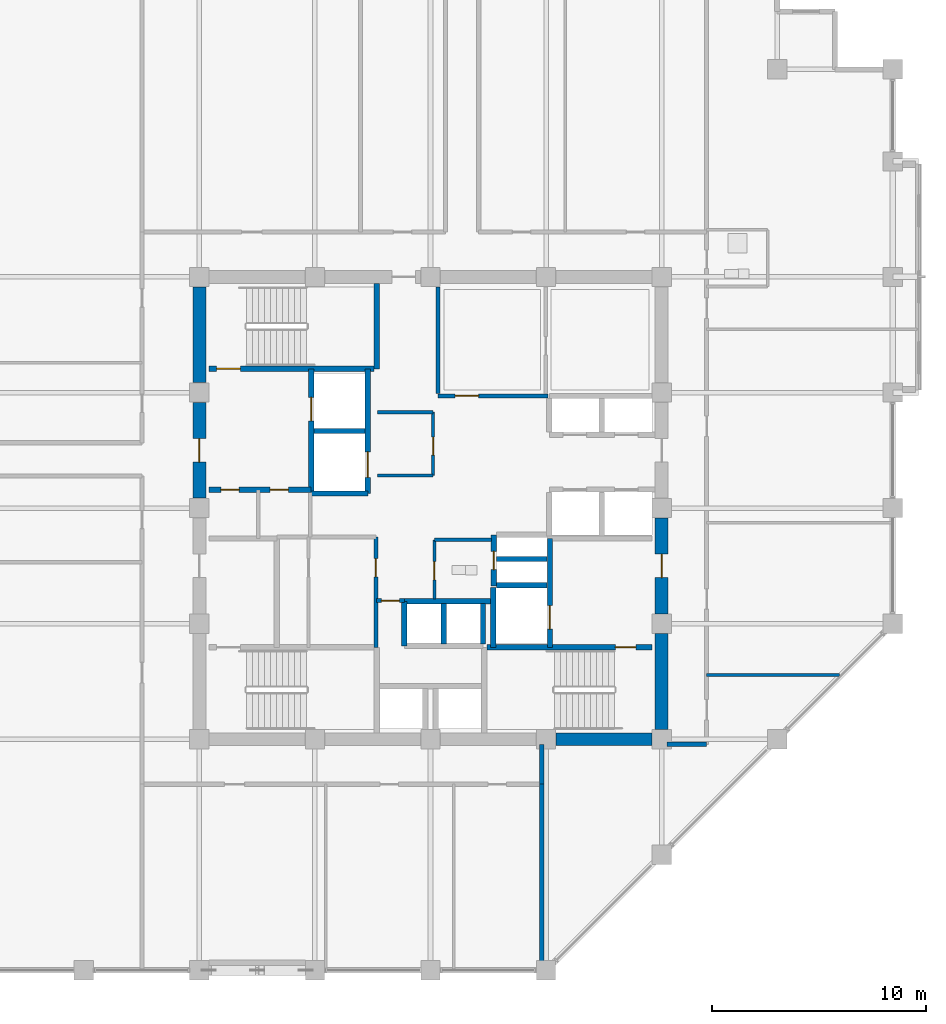
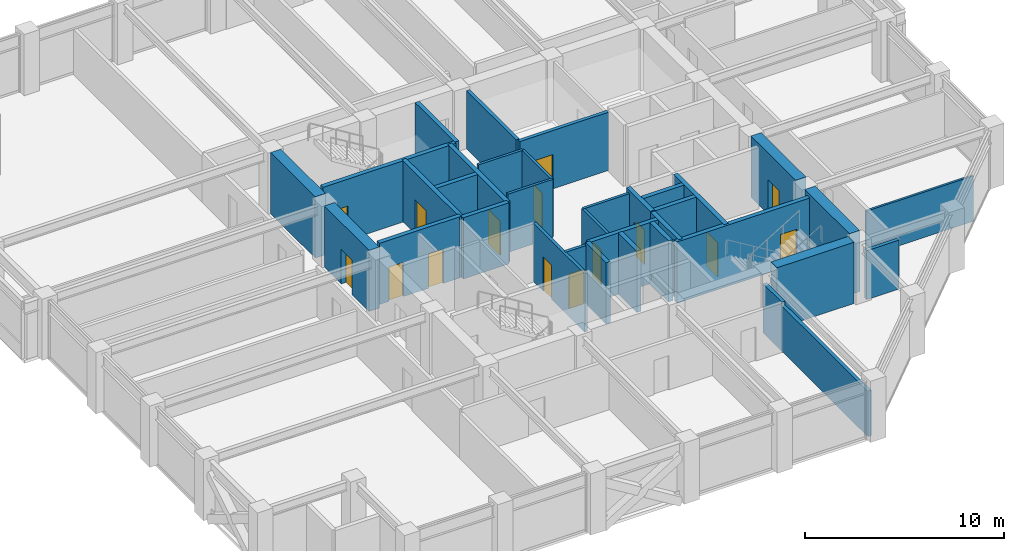
# One storey, part 27 of 32: 35 walls, 15 doors, 15 openings.
"""IFC4 building model written with IfcOpenShell, lengths in metres."""

from ifc_helpers import new_model, si_unit, direction, frame, frame_2d, origin, place, context, subcontext, project, spatial, rectangle, extrude, material, layer, layer_set, type_object, element, fill, save


model = new_model("IFC4")

# Units and contexts
model_context = context("Model", 3, precision=1e-05, world=origin(), true_north=direction((0.0, 1.0)))
body_context = subcontext(model_context, "Body", "Model", "MODEL_VIEW")
ifc_project = project(units=[si_unit("LENGTHUNIT", "METRE"), si_unit("AREAUNIT", "SQUARE_METRE"), si_unit("VOLUMEUNIT", "CUBIC_METRE"), si_unit("PLANEANGLEUNIT", "RADIAN"), si_unit("MASSUNIT", "GRAM", prefix="KILO")], contexts=[model_context])

# Site, building, storey
site_placement = place(None, origin())
site = spatial("IfcSite", under=ifc_project, at=site_placement, CompositionType="ELEMENT")
building_placement = place(site_placement, origin())
building = spatial("IfcBuilding", under=site, at=building_placement, Name="Surkhivell Harbour Commons", CompositionType="ELEMENT")
storey_placement = place(building_placement, frame((0.0, 0.0, 189.75)))
storey = spatial("IfcBuildingStorey", under=building, at=storey_placement, Name="L49", CompositionType="ELEMENT", Elevation=189.75)

# Wall
ifc_material_1 = material(Name="Concrete C60/75", Category="concrete")
ifc_layer_1 = layer(ifc_material_1, 0.60009765625)
ifc_layer_set_1 = layer_set([ifc_layer_1], Name="Concrete C60/75")
wall_type_1 = type_object("IfcWallType", Name="WAL-CORE-600", PredefinedType="SHEAR", material=ifc_layer_set_1)
wall_1_placement = place(storey_placement, frame((10.800048828125, -10.340087890625, 0.0), z_axis=(0.0, 0.0, 1.0), x_axis=(0.0, 1.0, 0.0)))
element("IfcWall", 1, at=wall_1_placement, inside=storey, type_object=wall_type_1, Name="L49 Core Shear Wall East 1", PredefinedType="SHEAR", context=body_context, shape_type="SweptSolid", body=[
    extrude(rectangle(XDim=4.47998046875, YDim=0.60009765625, at=frame_2d((2.239990234375, 0.0))), origin(), (0.0, 0.0, 1.0), 3.75),
])

# Wall, opening, door
wall_2_placement = place(storey_placement, frame((10.800048828125, -4.93994140625, 0.0), z_axis=(0.0, 0.0, 1.0), x_axis=(0.0, 1.0, 0.0)))
wall_2 = element("IfcWall", 2, at=wall_2_placement, inside=storey, type_object=wall_type_1, Name="L49 Core Shear Wall East 2", PredefinedType="SHEAR", context=body_context, shape_type="SweptSolid", body=[
    extrude(rectangle(XDim=4.47998046875, YDim=0.60009765625, at=frame_2d((2.239990234375, 0.0))), origin(), (0.0, 0.0, 1.0), 3.75),
])
opening_1_placement = place(wall_2_placement, frame((1.68994140625, 0.0, 0.0)))
opening_1 = element("IfcOpeningElement", 3, at=opening_1_placement, cuts=wall_2, Name="Opening ID-1", PredefinedType="OPENING", context=body_context, shape_type="SweptSolid", body=[
    extrude(rectangle(XDim=1.10009765625, YDim=2.10009765625, at=frame_2d((0.550048828125, 1.050048828125))), frame((0.0, 0.31005859375, 0.0), z_axis=(0.0, -1.0, 0.0), x_axis=(1.0, 0.0, 0.0)), (0.0, 0.0, 1.0), 0.6201171875),
])
ifc_material_2 = material(Name="Hardwood-veneered fire-rated door leaf", Category="wood")
door_type_1 = type_object("IfcDoorType", Name="DOR-FD120-1100", OperationType="NOTDEFINED", PredefinedType="DOOR", material=ifc_material_2)
door_1_placement = place(opening_1_placement, origin())
door_1 = element("IfcDoor", 4, at=door_1_placement, inside=storey, type_object=door_type_1, Name="L49 Firefighting Lobby 2 Corridor Door", OperationType="SINGLE_SWING_RIGHT", OverallHeight=2.10009765625, OverallWidth=1.10009765625, PredefinedType="DOOR", context=body_context, shape_type="SweptSolid", body=[
    extrude(rectangle(XDim=1.10009765625, YDim=2.10009765625, at=frame_2d((0.550048828125, 1.050048828125))), frame((0.0, 0.02490234375, 0.0), z_axis=(0.0, -1.0, 0.0), x_axis=(1.0, 0.0, 0.0)), (0.0, 0.0, 1.0), 0.050048828125),
])
fill(opening_1, door_1)

wall_3_placement = place(storey_placement, frame((-10.800048828125, 0.4599609375, 0.0), z_axis=(0.0, 0.0, 1.0), x_axis=(0.0, 1.0, 0.0)))
wall_3 = element("IfcWall", 5, at=wall_3_placement, inside=storey, type_object=wall_type_1, Name="L49 Core Shear Wall West 3", PredefinedType="SHEAR", context=body_context, shape_type="SweptSolid", body=[
    extrude(rectangle(XDim=4.47998046875, YDim=0.60009765625, at=frame_2d((2.239990234375, 0.0))), origin(), (0.0, 0.0, 1.0), 3.75),
])
opening_2_placement = place(wall_3_placement, frame((1.68994140625, 0.0, 0.0)))
opening_2 = element("IfcOpeningElement", 6, at=opening_2_placement, cuts=wall_3, Name="Opening ID-1", PredefinedType="OPENING", context=body_context, shape_type="SweptSolid", body=[
    extrude(rectangle(XDim=1.10009765625, YDim=2.10009765625, at=frame_2d((0.550048828125, 1.050048828125))), frame((0.0, 0.31005859375, 0.0), z_axis=(0.0, -1.0, 0.0), x_axis=(1.0, 0.0, 0.0)), (0.0, 0.0, 1.0), 0.6201171875),
])
door_2_placement = place(opening_2_placement, origin())
door_2 = element("IfcDoor", 7, at=door_2_placement, inside=storey, type_object=door_type_1, Name="L49 Firefighting Lobby 1 Corridor Door", OperationType="SINGLE_SWING_LEFT", OverallHeight=2.10009765625, OverallWidth=1.10009765625, PredefinedType="DOOR", context=body_context, shape_type="SweptSolid", body=[
    extrude(rectangle(XDim=1.10009765625, YDim=2.10009765625, at=frame_2d((0.550048828125, 1.050048828125))), frame((0.0, 0.02490234375, 0.0), z_axis=(0.0, -1.0, 0.0), x_axis=(1.0, 0.0, 0.0)), (0.0, 0.0, 1.0), 0.050048828125),
])
fill(opening_2, door_2)

# Walls
for number, where, z_axis, x_axis, name in (
    (8, (5.860107421875, -10.800048828125, 0.0), (0.0, 0.0, 1.0), (1.0, 0.0, 0.0), "L49 Core Shear Wall South 4"),
    (9, (-10.800048828125, 5.860107421875, 0.0), (0.0, 0.0, 1.0), (0.0, 1.0, 0.0), "L49 Core Shear Wall West 4"),
):
    element("IfcWall", number, at=place(storey_placement, frame(where, z_axis=z_axis, x_axis=x_axis)), inside=storey, type_object=wall_type_1, Name=name, PredefinedType="SHEAR", context=body_context, shape_type="SweptSolid", body=[
        extrude(rectangle(XDim=4.47998046875, YDim=0.60009765625, at=frame_2d((2.239990234375, 0.0))), origin(), (0.0, 0.0, 1.0), 3.75),
    ])
ifc_material_3 = material(Name="Moisture-resistant acoustic stud partition", Category="other")
ifc_layer_2 = layer(ifc_material_3, 0.125)
ifc_layer_set_2 = layer_set([ifc_layer_2], Name="Moisture-resistant acoustic stud partition")
wall_type_2 = type_object("IfcWallType", Name="WAL-INT-125", PredefinedType="PARTITIONING", material=ifc_layer_set_2)
wall_4_placement = place(storey_placement, frame((12.89990234375, -7.800048828125, 0.0), z_axis=(0.0, 0.0, 1.0), x_axis=(1.0, 0.0, 0.0)))
element("IfcWall", 10, at=wall_4_placement, inside=storey, type_object=wall_type_2, Name="L49 East Partition PBOT", PredefinedType="PARTITIONING", context=body_context, shape_type="SweptSolid", body=[
    extrude(rectangle(XDim=6.21533203125, YDim=0.125, at=frame_2d((3.107666015625, 0.0))), origin(), (0.0, 0.0, 1.0), 2.780029296875),
])
ifc_material_4 = material(Name="Twin-stud acoustic fireboard partition", Category="other")
ifc_layer_3 = layer(ifc_material_4, 0.14990234375)
ifc_layer_set_3 = layer_set([ifc_layer_3], Name="Twin-stud acoustic fireboard partition")
wall_type_3 = type_object("IfcWallType", Name="WAL-INT-150", PredefinedType="PARTITIONING", material=ifc_layer_set_3)
wall_5_placement = place(storey_placement, frame((0.179931640625, -1.47998046875, 0.0), z_axis=(0.0, 0.0, 1.0), x_axis=(1.0, 0.0, 0.0)))
element("IfcWall", 11, at=wall_5_placement, inside=storey, type_object=wall_type_3, Name="L49 Core Accessible WC North Wall", PredefinedType="PARTITIONING", context=body_context, shape_type="SweptSolid", body=[
    extrude(rectangle(XDim=2.670166015625, YDim=0.14990234375, at=frame_2d((1.3349609375, 0.0))), origin(), (0.0, 0.0, 1.0), 3.570068359375),
])

# Wall, opening, door
wall_6_placement = place(storey_placement, frame((0.179931640625, -4.25, 0.0), z_axis=(0.0, 0.0, 1.0), x_axis=(0.0, 1.0, 0.0)))
wall_6 = element("IfcWall", 12, at=wall_6_placement, inside=storey, type_object=wall_type_3, Name="L49 Core Accessible WC West Wall", PredefinedType="PARTITIONING", context=body_context, shape_type="SweptSolid", body=[
    extrude(rectangle(XDim=2.77001953125, YDim=0.14990234375, at=frame_2d((1.385009765625, 0.0))), origin(), (0.0, 0.0, 1.0), 3.570068359375),
])
opening_3_placement = place(wall_6_placement, frame((0.89990234375, 0.0, 0.0)))
opening_3 = element("IfcOpeningElement", 13, at=opening_3_placement, cuts=wall_6, Name="Opening ID-6", PredefinedType="OPENING", context=body_context, shape_type="SweptSolid", body=[
    extrude(rectangle(XDim=0.85009765625, YDim=2.10009765625, at=frame_2d((0.425048828125, 1.050048828125))), frame((0.0, 0.0849609375, 0.0), z_axis=(0.0, -1.0, 0.0), x_axis=(1.0, 0.0, 0.0)), (0.0, 0.0, 1.0), 0.169921875),
])
door_type_2 = type_object("IfcDoorType", Name="DOR-FD30-850", OperationType="NOTDEFINED", PredefinedType="DOOR", material=ifc_material_2)
door_3_placement = place(opening_3_placement, origin())
door_3 = element("IfcDoor", 14, at=door_3_placement, inside=storey, type_object=door_type_2, Name="L49 Floor Accessible WC Door", OperationType="SINGLE_SWING_LEFT", OverallHeight=2.10009765625, OverallWidth=0.85009765625, PredefinedType="DOOR", context=body_context, shape_type="SweptSolid", body=[
    extrude(rectangle(XDim=0.85009765625, YDim=2.10009765625, at=frame_2d((0.425048828125, 1.050048828125))), frame((0.0, 0.02490234375, 0.0), z_axis=(0.0, -1.0, 0.0), x_axis=(1.0, 0.0, 0.0)), (0.0, 0.0, 1.0), 0.050048828125),
])
fill(opening_3, door_3)

wall_7_placement = place(storey_placement, frame((0.1201171875, 1.52001953125, 0.0), z_axis=(0.0, 0.0, 1.0), x_axis=(0.0, 1.0, 0.0)))
wall_7 = element("IfcWall", 15, at=wall_7_placement, inside=storey, type_object=wall_type_3, Name="L49 Central Reading East Wall", PredefinedType="PARTITIONING", context=body_context, shape_type="SweptSolid", body=[
    extrude(rectangle(XDim=2.9599609375, YDim=0.14990234375, at=frame_2d((1.47998046875, 0.0))), origin(), (0.0, 0.0, 1.0), 3.570068359375),
])
opening_4_placement = place(wall_7_placement, frame((0.949951171875, 0.0, 0.0)))
opening_4 = element("IfcOpeningElement", 16, at=opening_4_placement, cuts=wall_7, Name="Opening ID-6", PredefinedType="OPENING", context=body_context, shape_type="SweptSolid", body=[
    extrude(rectangle(XDim=0.85009765625, YDim=2.10009765625, at=frame_2d((0.425048828125, 1.050048828125))), frame((0.0, 0.0849609375, 0.0), z_axis=(0.0, -1.0, 0.0), x_axis=(1.0, 0.0, 0.0)), (0.0, 0.0, 1.0), 0.169921875),
])
door_4_placement = place(opening_4_placement, origin())
door_4 = element("IfcDoor", 17, at=door_4_placement, inside=storey, type_object=door_type_2, Name="L49 Central Core Reading Door", OperationType="SINGLE_SWING_RIGHT", OverallHeight=2.10009765625, OverallWidth=0.85009765625, PredefinedType="DOOR", context=body_context, shape_type="SweptSolid", body=[
    extrude(rectangle(XDim=0.85009765625, YDim=2.10009765625, at=frame_2d((0.425048828125, 1.050048828125))), frame((0.0, 0.02490234375, 0.0), z_axis=(0.0, -1.0, 0.0), x_axis=(1.0, 0.0, 0.0)), (0.0, 0.0, 1.0), 0.050048828125),
])
fill(opening_4, door_4)

# Walls
for number, where, z_axis, x_axis, name in (
    (18, (-2.47998046875, 4.47998046875, 0.0), (0.0, 0.0, 1.0), (1.0, 0.0, 0.0), "L49 Central Reading North Wall"),
    (19, (-2.47998046875, 1.52001953125, 0.0), (0.0, 0.0, 1.0), (1.0, 0.0, 0.0), "L49 Central Reading South Wall"),
):
    element("IfcWall", number, at=place(storey_placement, frame(where, z_axis=z_axis, x_axis=x_axis)), inside=storey, type_object=wall_type_3, Name=name, PredefinedType="PARTITIONING", context=body_context, shape_type="SweptSolid", body=[
        extrude(rectangle(XDim=2.60009765625, YDim=0.14990234375, at=frame_2d((1.300048828125, 0.0))), origin(), (0.0, 0.0, 1.0), 3.570068359375),
    ])

# Wall, opening, door
ifc_material_5 = material(Name="High-density acoustic blockwork fire partition", Category="masonry")
ifc_layer_4 = layer(ifc_material_5, 0.175048828125)
ifc_layer_set_4 = layer_set([ifc_layer_4], Name="High-density acoustic blockwork fire partition")
wall_type_4 = type_object("IfcWallType", Name="WAL-INT-175", PredefinedType="PARTITIONING", material=ifc_layer_set_4)
wall_8_placement = place(storey_placement, frame((-2.550048828125, -6.510009765625, 0.0), z_axis=(0.0, 0.0, 1.0), x_axis=(0.0, 1.0, 0.0)))
wall_8 = element("IfcWall", 20, at=wall_8_placement, inside=storey, type_object=wall_type_4, Name="L49 Core Service Bay East Wall", PredefinedType="PARTITIONING", context=body_context, shape_type="SweptSolid", body=[
    extrude(rectangle(XDim=5.159912109375, YDim=0.175048828125, at=frame_2d((2.580078125, 0.0))), origin(), (0.0, 0.0, 1.0), 3.570068359375),
])
opening_5_placement = place(wall_8_placement, frame((3.300048828125, 0.0, 0.0)))
opening_5 = element("IfcOpeningElement", 21, at=opening_5_placement, cuts=wall_8, Name="Opening ID-6", PredefinedType="OPENING", context=body_context, shape_type="SweptSolid", body=[
    extrude(rectangle(XDim=0.85009765625, YDim=2.10009765625, at=frame_2d((0.425048828125, 1.050048828125))), frame((0.0, 0.097412109375, 0.0), z_axis=(0.0, -1.0, 0.0), x_axis=(1.0, 0.0, 0.0)), (0.0, 0.0, 1.0), 0.195068359375),
])
door_5_placement = place(opening_5_placement, origin())
door_5 = element("IfcDoor", 22, at=door_5_placement, inside=storey, type_object=door_type_2, Name="L49 Core Music Door", OperationType="SINGLE_SWING_LEFT", OverallHeight=2.10009765625, OverallWidth=0.85009765625, PredefinedType="DOOR", context=body_context, shape_type="SweptSolid", body=[
    extrude(rectangle(XDim=0.85009765625, YDim=2.10009765625, at=frame_2d((0.425048828125, 1.050048828125))), frame((0.0, 0.02490234375, 0.0), z_axis=(0.0, -1.0, 0.0), x_axis=(1.0, 0.0, 0.0)), (0.0, 0.0, 1.0), 0.050048828125),
])
fill(opening_5, door_5)

wall_9_placement = place(storey_placement, frame((-2.52001953125, -4.320068359375, 0.0), z_axis=(0.0, 0.0, 1.0), x_axis=(1.0, 0.0, 0.0)))
wall_9 = element("IfcWall", 23, at=wall_9_placement, inside=storey, type_object=wall_type_4, Name="L49 High-Rise Lobby North Portal Wall", PredefinedType="PARTITIONING", context=body_context, shape_type="SweptSolid", body=[
    extrude(rectangle(XDim=1.300048828125, YDim=0.175048828125, at=frame_2d((0.64990234375, 0.0))), origin(), (0.0, 0.0, 1.0), 3.570068359375),
])
opening_6_placement = place(wall_9_placement, frame((0.219970703125, 0.0, 0.0)))
opening_6 = element("IfcOpeningElement", 24, at=opening_6_placement, cuts=wall_9, Name="Opening ID-6", PredefinedType="OPENING", context=body_context, shape_type="SweptSolid", body=[
    extrude(rectangle(XDim=0.85009765625, YDim=2.10009765625, at=frame_2d((0.425048828125, 1.050048828125))), frame((0.0, 0.097412109375, 0.0), z_axis=(0.0, -1.0, 0.0), x_axis=(1.0, 0.0, 0.0)), (0.0, 0.0, 1.0), 0.195068359375),
])
door_6_placement = place(opening_6_placement, origin())
door_6 = element("IfcDoor", 25, at=door_6_placement, inside=storey, type_object=door_type_2, Name="L49 High-Rise Lift Lobby North Door", OperationType="SINGLE_SWING_LEFT", OverallHeight=2.10009765625, OverallWidth=0.85009765625, PredefinedType="DOOR", context=body_context, shape_type="SweptSolid", body=[
    extrude(rectangle(XDim=0.85009765625, YDim=2.10009765625, at=frame_2d((0.425048828125, 1.050048828125))), frame((0.0, 0.02490234375, 0.0), z_axis=(0.0, -1.0, 0.0), x_axis=(1.0, 0.0, 0.0)), (0.0, 0.0, 1.0), 0.050048828125),
])
fill(opening_6, door_6)

ifc_material_6 = material(Name="Autoclaved aerated concrete blockwork and fire plaster", Category="masonry")
ifc_layer_5 = layer(ifc_material_6, 0.199951171875)
ifc_layer_set_5 = layer_set([ifc_layer_5], Name="Autoclaved aerated concrete blockwork and fire plaster")
wall_type_5 = type_object("IfcWallType", Name="WAL-INT-200", PredefinedType="PARTITIONING", material=ifc_layer_set_5)
wall_10_placement = place(storey_placement, frame((0.35009765625, 5.239990234375, 0.0), z_axis=(0.0, 0.0, 1.0), x_axis=(1.0, 0.0, 0.0)))
wall_10 = element("IfcWall", 26, at=wall_10_placement, inside=storey, type_object=wall_type_5, Name="L49 Reclaimed Core North Bay South Wall", PredefinedType="PARTITIONING", context=body_context, shape_type="SweptSolid", body=[
    extrude(rectangle(XDim=5.14990234375, YDim=0.199951171875, at=frame_2d((2.574951171875, 0.0))), origin(), (0.0, 0.0, 1.0), 3.570068359375),
])
opening_7_placement = place(wall_10_placement, frame((0.800048828125, 0.0, 0.0)))
opening_7 = element("IfcOpeningElement", 27, at=opening_7_placement, cuts=wall_10, Name="Opening ID-2", PredefinedType="OPENING", context=body_context, shape_type="SweptSolid", body=[
    extrude(rectangle(XDim=1.10009765625, YDim=2.10009765625, at=frame_2d((0.550048828125, 1.050048828125))), frame((0.0, 0.10986328125, 0.0), z_axis=(0.0, -1.0, 0.0), x_axis=(1.0, 0.0, 0.0)), (0.0, 0.0, 1.0), 0.219970703125),
])
door_type_3 = type_object("IfcDoorType", Name="DOR-FD60-1100", OperationType="NOTDEFINED", PredefinedType="DOOR", material=ifc_material_2)
door_7_placement = place(opening_7_placement, origin())
door_7 = element("IfcDoor", 28, at=door_7_placement, inside=storey, type_object=door_type_3, Name="L49 Core Study Door", OperationType="SINGLE_SWING_LEFT", OverallHeight=2.10009765625, OverallWidth=1.10009765625, PredefinedType="DOOR", context=body_context, shape_type="SweptSolid", body=[
    extrude(rectangle(XDim=1.10009765625, YDim=2.10009765625, at=frame_2d((0.550048828125, 1.050048828125))), frame((0.0, 0.02490234375, 0.0), z_axis=(0.0, -1.0, 0.0), x_axis=(1.0, 0.0, 0.0)), (0.0, 0.0, 1.0), 0.050048828125),
])
fill(opening_7, door_7)

# Walls
wall_11_placement = place(storey_placement, frame((0.35009765625, 5.360107421875, 0.0), z_axis=(0.0, 0.0, 1.0), x_axis=(0.0, 1.0, 0.0)))
element("IfcWall", 29, at=wall_11_placement, inside=storey, type_object=wall_type_5, Name="L49 Reclaimed Core North Bay West Wall", PredefinedType="PARTITIONING", context=body_context, shape_type="SweptSolid", body=[
    extrude(rectangle(XDim=4.97998046875, YDim=0.199951171875, at=frame_2d((2.489990234375, 0.0))), origin(), (0.0, 0.0, 1.0), 3.570068359375),
])
wall_12_placement = place(storey_placement, frame((5.199951171875, -21.5400390625, 0.0), z_axis=(0.0, 0.0, 1.0), x_axis=(0.0, 1.0, 0.0)))
element("IfcWall", 30, at=wall_12_placement, inside=storey, type_object=wall_type_5, Name="L49 South-East Corner Wall", PredefinedType="PARTITIONING", context=body_context, shape_type="SweptSolid", body=[
    extrude(rectangle(XDim=8.64013671875, YDim=0.199951171875, at=frame_2d((4.320068359375, 0.0))), origin(), (0.0, 0.0, 1.0), 2.780029296875),
])
for number, where, z_axis, x_axis, name in (
    (31, (11.0400390625, -11.0400390625, 0.0), (0.0, 0.0, 1.0), (1.0, 0.0, 0.0), "L49 Corridor East South Closure Wall"),
    (32, (5.199951171875, -12.89990234375, 0.0), (0.0, 0.0, 1.0), (0.0, 1.0, 0.0), "L49 Corridor South End Wall"),
):
    element("IfcWall", number, at=place(storey_placement, frame(where, z_axis=z_axis, x_axis=x_axis)), inside=storey, type_object=wall_type_5, Name=name, PredefinedType="PARTITIONING", context=body_context, shape_type="SweptSolid", body=[
        extrude(rectangle(XDim=1.85986328125, YDim=0.199951171875, at=frame_2d((0.929931640625, 0.0))), origin(), (0.0, 0.0, 1.0), 3.006103515625),
    ])

# Wall, opening, door
ifc_material_7 = material(Name="Concrete C50/60", Category="concrete")
ifc_layer_6 = layer(ifc_material_7, 0.25)
ifc_layer_set_6 = layer_set([ifc_layer_6], Name="Concrete C50/60")
wall_type_6 = type_object("IfcWallType", Name="WAL-SHAFT-250", PredefinedType="SHEAR", material=ifc_layer_set_6)
wall_13_placement = place(storey_placement, frame((-5.580078125, 0.719970703125, 0.0), z_axis=(0.0, 0.0, 1.0), x_axis=(0.0, 1.0, 0.0)))
wall_13 = element("IfcWall", 33, at=wall_13_placement, inside=storey, type_object=wall_type_6, Name="L49 Firefighting Lobby 1 East Shaft Wall", PredefinedType="SHEAR", context=body_context, shape_type="SweptSolid", body=[
    extrude(rectangle(XDim=5.7900390625, YDim=0.25, at=frame_2d((2.89501953125, 0.0))), origin(), (0.0, 0.0, 1.0), 3.75),
])
opening_8_placement = place(wall_13_placement, frame((3.35009765625, 0.0, 0.0)))
opening_8 = element("IfcOpeningElement", 34, at=opening_8_placement, cuts=wall_13, Name="Opening LD-1", PredefinedType="OPENING", context=body_context, shape_type="SweptSolid", body=[
    extrude(rectangle(XDim=1.10009765625, YDim=2.10009765625, at=frame_2d((0.550048828125, 1.050048828125))), frame((0.0, 0.135009765625, 0.0), z_axis=(0.0, -1.0, 0.0), x_axis=(1.0, 0.0, 0.0)), (0.0, 0.0, 1.0), 0.27001953125),
])
ifc_material_8 = material(Name="Brushed stainless steel S355", Category="steel")
door_type_4 = type_object("IfcDoorType", Name="DOR-LD-1100", OperationType="SLIDING_TO_LEFT", PredefinedType="DOOR", material=ifc_material_8)
door_8_placement = place(opening_8_placement, origin())
door_8 = element("IfcDoor", 35, at=door_8_placement, inside=storey, type_object=door_type_4, Name="L49 Lift Landing Door LD-FFL1", OperationType="SLIDING_TO_LEFT", OverallHeight=2.10009765625, OverallWidth=1.10009765625, PredefinedType="DOOR", context=body_context, shape_type="SweptSolid", body=[
    extrude(rectangle(XDim=1.10009765625, YDim=2.10009765625, at=frame_2d((0.550048828125, 1.050048828125))), frame((0.0, 0.02490234375, 0.0), z_axis=(0.0, -1.0, 0.0), x_axis=(1.0, 0.0, 0.0)), (0.0, 0.0, 1.0), 0.050048828125),
])
fill(opening_8, door_8)

# Wall, openings, doors
wall_14_placement = place(storey_placement, frame((-10.340087890625, 0.85009765625, 0.0), z_axis=(0.0, 0.0, 1.0), x_axis=(1.0, 0.0, 0.0)))
wall_14 = element("IfcWall", 36, at=wall_14_placement, inside=storey, type_object=wall_type_6, Name="L49 Firefighting Lobby 1 South Wall", PredefinedType="SHEAR", context=body_context, shape_type="SweptSolid", body=[
    extrude(rectangle(XDim=4.760009765625, YDim=0.25, at=frame_2d((2.3798828125, 0.0))), origin(), (0.0, 0.0, 1.0), 3.75),
])
opening_9_placement = place(wall_14_placement, frame((0.550048828125, 0.0, 0.0)))
opening_9 = element("IfcOpeningElement", 37, at=opening_9_placement, cuts=wall_14, Name="Opening ID-6", PredefinedType="OPENING", context=body_context, shape_type="SweptSolid", body=[
    extrude(rectangle(XDim=0.85009765625, YDim=2.10009765625, at=frame_2d((0.425048828125, 1.050048828125))), frame((0.0, 0.135009765625, 0.0), z_axis=(0.0, -1.0, 0.0), x_axis=(1.0, 0.0, 0.0)), (0.0, 0.0, 1.0), 0.27001953125),
])
opening_10_placement = place(wall_14_placement, frame((2.85009765625, 0.0, 0.0)))
opening_10 = element("IfcOpeningElement", 38, at=opening_10_placement, cuts=wall_14, Name="Opening ID-6", PredefinedType="OPENING", context=body_context, shape_type="SweptSolid", body=[
    extrude(rectangle(XDim=0.85009765625, YDim=2.10009765625, at=frame_2d((0.425048828125, 1.050048828125))), frame((0.0, 0.135009765625, 0.0), z_axis=(0.0, -1.0, 0.0), x_axis=(1.0, 0.0, 0.0)), (0.0, 0.0, 1.0), 0.27001953125),
])
door_9_placement = place(opening_9_placement, origin())
door_9 = element("IfcDoor", 39, at=door_9_placement, inside=storey, type_object=door_type_2, Name="L49 West Seminar 1 Door", OperationType="SINGLE_SWING_LEFT", OverallHeight=2.10009765625, OverallWidth=0.85009765625, PredefinedType="DOOR", context=body_context, shape_type="SweptSolid", body=[
    extrude(rectangle(XDim=0.85009765625, YDim=2.10009765625, at=frame_2d((0.425048828125, 1.050048828125))), frame((0.0, 0.02490234375, 0.0), z_axis=(0.0, -1.0, 0.0), x_axis=(1.0, 0.0, 0.0)), (0.0, 0.0, 1.0), 0.050048828125),
])
fill(opening_9, door_9)
door_10_placement = place(opening_10_placement, origin())
door_10 = element("IfcDoor", 40, at=door_10_placement, inside=storey, type_object=door_type_2, Name="L49 West Seminar 2 Door", OperationType="SINGLE_SWING_RIGHT", OverallHeight=2.10009765625, OverallWidth=0.85009765625, PredefinedType="DOOR", context=body_context, shape_type="SweptSolid", body=[
    extrude(rectangle(XDim=0.85009765625, YDim=2.10009765625, at=frame_2d((0.425048828125, 1.050048828125))), frame((0.0, 0.02490234375, 0.0), z_axis=(0.0, -1.0, 0.0), x_axis=(1.0, 0.0, 0.0)), (0.0, 0.0, 1.0), 0.050048828125),
])
fill(opening_10, door_10)

# Walls
wall_15_placement = place(storey_placement, frame((2.929931640625, -6.510009765625, 0.0), z_axis=(0.0, 0.0, 1.0), x_axis=(0.0, 1.0, 0.0)))
element("IfcWall", 41, at=wall_15_placement, inside=storey, type_object=wall_type_6, Name="L49 FFL2 West Shaft Wall", PredefinedType="SHEAR", context=body_context, shape_type="SweptSolid", body=[
    extrude(rectangle(XDim=2.7900390625, YDim=0.25, at=frame_2d((1.39501953125, 0.0))), origin(), (0.0, 0.0, 1.0), 3.75),
])
wall_16_placement = place(storey_placement, frame((3.080078125, -3.60009765625, 0.0), z_axis=(0.0, 0.0, 1.0), x_axis=(1.0, 0.0, 0.0)))
element("IfcWall", 42, at=wall_16_placement, inside=storey, type_object=wall_type_6, Name="L49 FFL2 North Shaft Wall", PredefinedType="SHEAR", context=body_context, shape_type="SweptSolid", body=[
    extrude(rectangle(XDim=2.369873046875, YDim=0.25, at=frame_2d((1.18505859375, 0.0))), origin(), (0.0, 0.0, 1.0), 3.75),
])

# Wall, opening, door
wall_17_placement = place(storey_placement, frame((5.580078125, -6.510009765625, 0.0), z_axis=(0.0, 0.0, 1.0), x_axis=(0.0, 1.0, 0.0)))
wall_17 = element("IfcWall", 43, at=wall_17_placement, inside=storey, type_object=wall_type_6, Name="L49 Firefighting Lobby 2 West Shaft Wall", PredefinedType="SHEAR", context=body_context, shape_type="SweptSolid", body=[
    extrude(rectangle(XDim=5.090087890625, YDim=0.25, at=frame_2d((2.544921875, 0.0))), origin(), (0.0, 0.0, 1.0), 3.75),
])
opening_11_placement = place(wall_17_placement, frame((0.85009765625, 0.0, 0.0)))
opening_11 = element("IfcOpeningElement", 44, at=opening_11_placement, cuts=wall_17, Name="Opening LD-1", PredefinedType="OPENING", context=body_context, shape_type="SweptSolid", body=[
    extrude(rectangle(XDim=1.10009765625, YDim=2.10009765625, at=frame_2d((0.550048828125, 1.050048828125))), frame((0.0, 0.135009765625, 0.0), z_axis=(0.0, -1.0, 0.0), x_axis=(1.0, 0.0, 0.0)), (0.0, 0.0, 1.0), 0.27001953125),
])
door_11_placement = place(opening_11_placement, origin())
door_11 = element("IfcDoor", 45, at=door_11_placement, inside=storey, type_object=door_type_4, Name="L49 Lift Landing Door LD-FFL2", OperationType="SLIDING_TO_RIGHT", OverallHeight=2.10009765625, OverallWidth=1.10009765625, PredefinedType="DOOR", context=body_context, shape_type="SweptSolid", body=[
    extrude(rectangle(XDim=1.10009765625, YDim=2.10009765625, at=frame_2d((0.550048828125, 1.050048828125))), frame((0.0, 0.02490234375, 0.0), z_axis=(0.0, -1.0, 0.0), x_axis=(1.0, 0.0, 0.0)), (0.0, 0.0, 1.0), 0.050048828125),
])
fill(opening_11, door_11)

# Walls
for number, where, z_axis, x_axis, name in (
    (46, (0.6201171875, -6.340087890625, 0.0), (0.0, 0.0, 1.0), (0.0, 1.0, 0.0), "L49 High-Rise Side Wall N"),
    (47, (2.449951171875, -6.340087890625, 0.0), (0.0, 0.0, 1.0), (0.0, 1.0, 0.0), "L49 High-Rise Side Wall N"),
):
    element("IfcWall", number, at=place(storey_placement, frame(where, z_axis=z_axis, x_axis=x_axis)), inside=storey, type_object=wall_type_6, Name=name, PredefinedType="SHEAR", context=body_context, shape_type="SweptSolid", body=[
        extrude(rectangle(XDim=1.880126953125, YDim=0.25, at=frame_2d((0.93994140625, 0.0))), origin(), (0.0, 0.0, 1.0), 3.75),
    ])
wall_18_placement = place(storey_placement, frame((-1.219970703125, -6.43994140625, 0.0), z_axis=(0.0, 0.0, 1.0), x_axis=(0.0, 1.0, 0.0)))
element("IfcWall", 48, at=wall_18_placement, inside=storey, type_object=wall_type_6, Name="L49 High-Rise Passage East Shaft Wall", PredefinedType="SHEAR", context=body_context, shape_type="SweptSolid", body=[
    extrude(rectangle(XDim=2.079833984375, YDim=0.25, at=frame_2d((1.0400390625, 0.0))), origin(), (0.0, 0.0, 1.0), 3.75),
])
wall_19_placement = place(storey_placement, frame((-1.219970703125, -4.360107421875, 0.0), z_axis=(0.0, 0.0, 1.0), x_axis=(1.0, 0.0, 0.0)))
element("IfcWall", 49, at=wall_19_placement, inside=storey, type_object=wall_type_6, Name="L49 High-Rise North Back Shaft Wall", PredefinedType="SHEAR", context=body_context, shape_type="SweptSolid", body=[
    extrude(rectangle(XDim=4.030029296875, YDim=0.25, at=frame_2d((2.01513671875, 0.0))), origin(), (0.0, 0.0, 1.0), 3.75),
])
wall_20_placement = place(storey_placement, frame((3.080078125, -2.3798828125, 0.0), z_axis=(0.0, 0.0, 1.0), x_axis=(1.0, 0.0, 0.0)))
element("IfcWall", 50, at=wall_20_placement, inside=storey, type_object=wall_type_6, Name="L49 Riser Divider Wall", PredefinedType="SHEAR", context=body_context, shape_type="SweptSolid", body=[
    extrude(rectangle(XDim=2.369873046875, YDim=0.25, at=frame_2d((1.18505859375, 0.0))), origin(), (0.0, 0.0, 1.0), 3.75),
])

# Wall, opening, door
wall_21_placement = place(storey_placement, frame((2.949951171875, -3.64990234375, 0.0), z_axis=(0.0, 0.0, 1.0), x_axis=(0.0, 1.0, 0.0)))
wall_21 = element("IfcWall", 51, at=wall_21_placement, inside=storey, type_object=wall_type_6, Name="L49 Riser Shaft West Wall", PredefinedType="SHEAR", context=body_context, shape_type="SweptSolid", body=[
    extrude(rectangle(XDim=2.39990234375, YDim=0.25, at=frame_2d((1.199951171875, 0.0))), origin(), (0.0, 0.0, 1.0), 3.75),
])
opening_12_placement = place(wall_21_placement, frame((0.77490234375, 0.0, 0.0)))
opening_12 = element("IfcOpeningElement", 52, at=opening_12_placement, cuts=wall_21, Name="Opening ID-6", PredefinedType="OPENING", context=body_context, shape_type="SweptSolid", body=[
    extrude(rectangle(XDim=0.85009765625, YDim=2.10009765625, at=frame_2d((0.425048828125, 1.050048828125))), frame((0.0, 0.135009765625, 0.0), z_axis=(0.0, -1.0, 0.0), x_axis=(1.0, 0.0, 0.0)), (0.0, 0.0, 1.0), 0.27001953125),
])
door_12_placement = place(opening_12_placement, origin())
door_12 = element("IfcDoor", 53, at=door_12_placement, inside=storey, type_object=door_type_2, Name="L49 Electrical Riser Access Door", OperationType="SINGLE_SWING_LEFT", OverallHeight=2.10009765625, OverallWidth=0.85009765625, PredefinedType="DOOR", context=body_context, shape_type="SweptSolid", body=[
    extrude(rectangle(XDim=0.85009765625, YDim=2.10009765625, at=frame_2d((0.425048828125, 1.050048828125))), frame((0.0, 0.02490234375, 0.0), z_axis=(0.0, -1.0, 0.0), x_axis=(1.0, 0.0, 0.0)), (0.0, 0.0, 1.0), 0.050048828125),
])
fill(opening_12, door_12)

# Wall
wall_22_placement = place(storey_placement, frame((-2.510009765625, 6.510009765625, 0.0), z_axis=(0.0, 0.0, 1.0), x_axis=(0.0, 1.0, 0.0)))
element("IfcWall", 54, at=wall_22_placement, inside=storey, type_object=wall_type_6, Name="L49 Stair ST1 East Shear Wall", PredefinedType="SHEAR", context=body_context, shape_type="SweptSolid", body=[
    extrude(rectangle(XDim=3.989990234375, YDim=0.25, at=frame_2d((1.9951171875, 0.0))), origin(), (0.0, 0.0, 1.0), 3.75),
])

# Wall, opening, door
wall_23_placement = place(storey_placement, frame((-10.340087890625, 6.510009765625, 0.0), z_axis=(0.0, 0.0, 1.0), x_axis=(1.0, 0.0, 0.0)))
wall_23 = element("IfcWall", 55, at=wall_23_placement, inside=storey, type_object=wall_type_6, Name="L49 Stair ST1 South Shear Wall", PredefinedType="SHEAR", context=body_context, shape_type="SweptSolid", body=[
    extrude(rectangle(XDim=7.7001953125, YDim=0.25, at=frame_2d((3.85009765625, 0.0))), origin(), (0.0, 0.0, 1.0), 3.75),
])
opening_13_placement = place(wall_23_placement, frame((0.35009765625, 0.0, 0.0)))
opening_13 = element("IfcOpeningElement", 56, at=opening_13_placement, cuts=wall_23, Name="Opening ID-2", PredefinedType="OPENING", context=body_context, shape_type="SweptSolid", body=[
    extrude(rectangle(XDim=1.10009765625, YDim=2.10009765625, at=frame_2d((0.550048828125, 1.050048828125))), frame((0.0, 0.135009765625, 0.0), z_axis=(0.0, -1.0, 0.0), x_axis=(1.0, 0.0, 0.0)), (0.0, 0.0, 1.0), 0.27001953125),
])
door_13_placement = place(opening_13_placement, origin())
door_13 = element("IfcDoor", 57, at=door_13_placement, inside=storey, type_object=door_type_3, Name="L49 Stair ST1 Exit Door", OperationType="SINGLE_SWING_LEFT", OverallHeight=2.10009765625, OverallWidth=1.10009765625, PredefinedType="DOOR", context=body_context, shape_type="SweptSolid", body=[
    extrude(rectangle(XDim=1.10009765625, YDim=2.10009765625, at=frame_2d((0.550048828125, 1.050048828125))), frame((0.0, 0.02490234375, 0.0), z_axis=(0.0, -1.0, 0.0), x_axis=(1.0, 0.0, 0.0)), (0.0, 0.0, 1.0), 0.050048828125),
])
fill(opening_13, door_13)

wall_24_placement = place(storey_placement, frame((2.639892578125, -6.510009765625, 0.0), z_axis=(0.0, 0.0, 1.0), x_axis=(1.0, 0.0, 0.0)))
wall_24 = element("IfcWall", 58, at=wall_24_placement, inside=storey, type_object=wall_type_6, Name="L49 Stair ST2 North Shear Wall", PredefinedType="SHEAR", context=body_context, shape_type="SweptSolid", body=[
    extrude(rectangle(XDim=7.7001953125, YDim=0.25, at=frame_2d((3.85009765625, 0.0))), origin(), (0.0, 0.0, 1.0), 3.75),
])
opening_14_placement = place(wall_24_placement, frame((6.0, 0.0, 0.0)))
opening_14 = element("IfcOpeningElement", 59, at=opening_14_placement, cuts=wall_24, Name="Opening ID-4", PredefinedType="OPENING", context=body_context, shape_type="SweptSolid", body=[
    extrude(rectangle(XDim=0.949951171875, YDim=2.10009765625, at=frame_2d((0.47509765625, 1.050048828125))), frame((0.0, 0.135009765625, 0.0), z_axis=(0.0, -1.0, 0.0), x_axis=(1.0, 0.0, 0.0)), (0.0, 0.0, 1.0), 0.27001953125),
])
door_type_5 = type_object("IfcDoorType", Name="DOR-FD60-950", OperationType="NOTDEFINED", PredefinedType="DOOR", material=ifc_material_2)
door_14_placement = place(opening_14_placement, origin())
door_14 = element("IfcDoor", 60, at=door_14_placement, inside=storey, type_object=door_type_5, Name="L49 Stair ST2 Exit Door", OperationType="SINGLE_SWING_RIGHT", OverallHeight=2.10009765625, OverallWidth=0.949951171875, PredefinedType="DOOR", context=body_context, shape_type="SweptSolid", body=[
    extrude(rectangle(XDim=0.949951171875, YDim=2.10009765625, at=frame_2d((0.47509765625, 1.050048828125))), frame((0.0, 0.02490234375, 0.0), z_axis=(0.0, -1.0, 0.0), x_axis=(1.0, 0.0, 0.0)), (0.0, 0.0, 1.0), 0.050048828125),
])
fill(opening_14, door_14)

wall_25_placement = place(storey_placement, frame((-2.929931640625, 0.679931640625, 0.0), z_axis=(0.0, 0.0, 1.0), x_axis=(0.0, 1.0, 0.0)))
wall_25 = element("IfcWall", 61, at=wall_25_placement, inside=storey, type_object=wall_type_6, Name="L49 Service and Fire Lift East Shaft Wall", PredefinedType="SHEAR", context=body_context, shape_type="SweptSolid", body=[
    extrude(rectangle(XDim=5.830078125, YDim=0.25, at=frame_2d((2.9150390625, 0.0))), origin(), (0.0, 0.0, 1.0), 3.75),
])
opening_15_placement = place(wall_25_placement, frame((0.75, 0.0, 0.0)))
opening_15 = element("IfcOpeningElement", 62, at=opening_15_placement, cuts=wall_25, Name="Opening LD-2", PredefinedType="OPENING", context=body_context, shape_type="SweptSolid", body=[
    extrude(rectangle(XDim=1.199951171875, YDim=2.10009765625, at=frame_2d((0.60009765625, 1.050048828125))), frame((0.0, 0.135009765625, 0.0), z_axis=(0.0, -1.0, 0.0), x_axis=(1.0, 0.0, 0.0)), (0.0, 0.0, 1.0), 0.27001953125),
])
door_type_6 = type_object("IfcDoorType", Name="DOR-LD-1200", OperationType="SLIDING_TO_LEFT", PredefinedType="DOOR", material=ifc_material_8)
door_15_placement = place(opening_15_placement, origin())
door_15 = element("IfcDoor", 63, at=door_15_placement, inside=storey, type_object=door_type_6, Name="L49 Lift Landing Door LD-SVL1", OperationType="SLIDING_TO_LEFT", OverallHeight=2.10009765625, OverallWidth=1.199951171875, PredefinedType="DOOR", context=body_context, shape_type="SweptSolid", body=[
    extrude(rectangle(XDim=1.199951171875, YDim=2.10009765625, at=frame_2d((0.60009765625, 1.050048828125))), frame((0.0, 0.02490234375, 0.0), z_axis=(0.0, -1.0, 0.0), x_axis=(1.0, 0.0, 0.0)), (0.0, 0.0, 1.0), 0.050048828125),
])
fill(opening_15, door_15)

# Walls
wall_26_placement = place(storey_placement, frame((-5.449951171875, 3.60009765625, 0.0), z_axis=(0.0, 0.0, 1.0), x_axis=(1.0, 0.0, 0.0)))
element("IfcWall", 64, at=wall_26_placement, inside=storey, type_object=wall_type_6, Name="L49 FFL1/SVL1 Shaft Divider", PredefinedType="SHEAR", context=body_context, shape_type="SweptSolid", body=[
    extrude(rectangle(XDim=2.389892578125, YDim=0.25, at=frame_2d((1.19482421875, 0.0))), origin(), (0.0, 0.0, 1.0), 3.75),
])
wall_27_placement = place(storey_placement, frame((-5.580078125, 0.679931640625, 0.0), z_axis=(0.0, 0.0, 1.0), x_axis=(1.0, 0.0, 0.0)))
element("IfcWall", 65, at=wall_27_placement, inside=storey, type_object=wall_type_6, Name="L49 SVL1 South Shaft Wall", PredefinedType="SHEAR", context=body_context, shape_type="SweptSolid", body=[
    extrude(rectangle(XDim=2.650146484375, YDim=0.25, at=frame_2d((1.3251953125, 0.0))), origin(), (0.0, 0.0, 1.0), 3.75),
])

save(model, "model.ifc")
